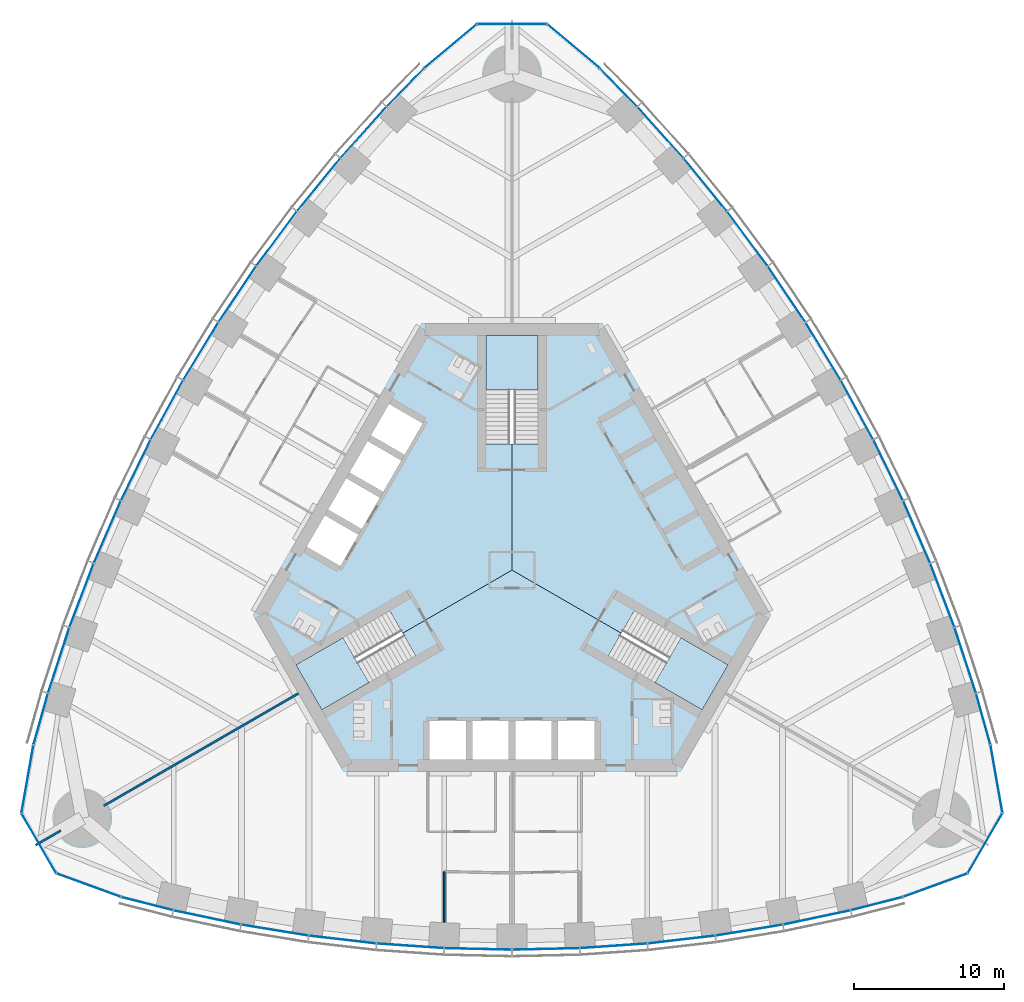
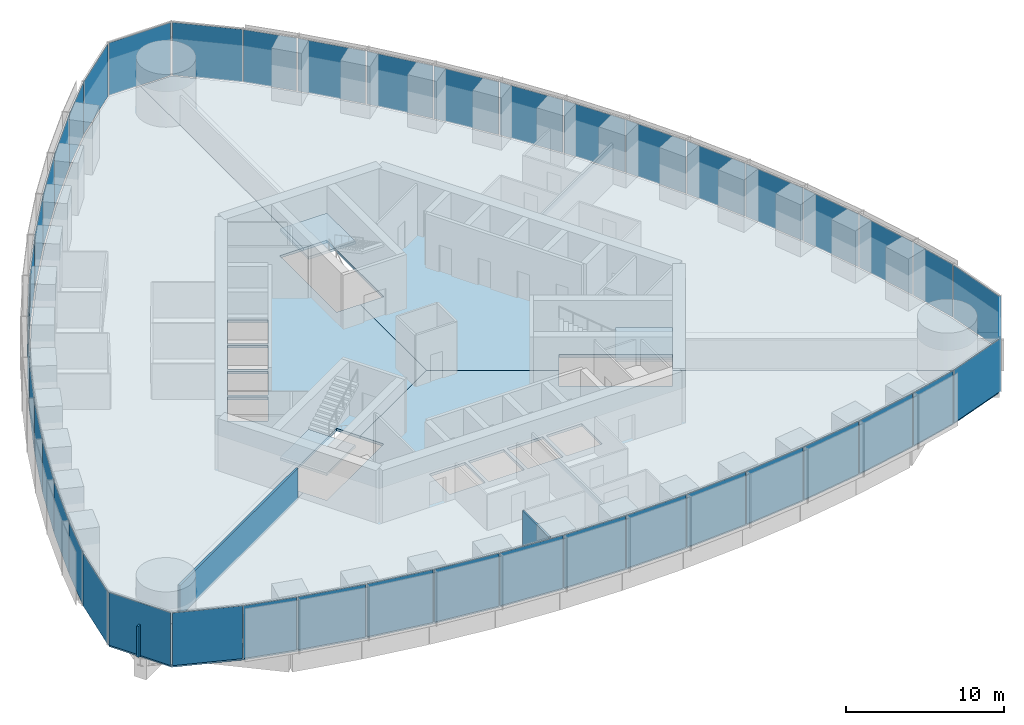
# One storey, part 10 of 18: 45 plates, 6 slabs, 3 walls, 9 elements without a shape of their own.
"""IFC4 building model written with IfcOpenShell, lengths in metres."""

from ifc_helpers import new_model, si_unit, direction, frame, frame_2d, origin, origin_2d, place, context, subcontext, project, spatial, polyline, rectangle, outline, extrude, material, layer, layer_set, type_object, element, aggregate, save


model = new_model("IFC4")

# Units and contexts
model_context = context("Model", 3, precision=1e-05, world=origin(), true_north=direction((0.0, 1.0)))
body_context = subcontext(model_context, "Body", "Model", "MODEL_VIEW")
ifc_project = project(units=[si_unit("LENGTHUNIT", "METRE"), si_unit("AREAUNIT", "SQUARE_METRE"), si_unit("VOLUMEUNIT", "CUBIC_METRE"), si_unit("PLANEANGLEUNIT", "RADIAN"), si_unit("MASSUNIT", "GRAM", prefix="KILO")], contexts=[model_context])

# Site, building, storey
site_placement = place(None, origin())
site = spatial("IfcSite", under=ifc_project, at=site_placement, CompositionType="ELEMENT")
building_placement = place(site_placement, origin())
building = spatial("IfcBuilding", under=site, at=building_placement, Name="Trefoil Bronze Tower", CompositionType="ELEMENT")
storey_placement = place(building_placement, frame((0.0, 0.0, 202.300048828125)))
storey = spatial("IfcBuildingStorey", under=building, at=storey_placement, Name="L46", CompositionType="ELEMENT", Elevation=202.300048828125)

# Curtain wall, plates
ifc_material_1 = material(Name="Tinted solar-control glass", Category="glass")
curtain_wall_type_1 = type_object("IfcCurtainWallType", Name="Bronze office curtain wall", PredefinedType="USERDEFINED", material=ifc_material_1)
curtain_wall_1_placement = place(storey_placement, origin())
curtain_wall_1 = element("IfcCurtainWall", 1, at=curtain_wall_1_placement, inside=storey, type_object=curtain_wall_type_1, Name="CW-A L46 F1", ObjectType="CURTAIN WALL", PredefinedType="USERDEFINED")
ifc_material_2 = material(Name="Tinted solar-control glass", Category="glass")
ifc_layer_1 = layer(ifc_material_2, 0.030029296875)
ifc_layer_set_1 = layer_set([ifc_layer_1], Name="Bronze office curtain wall glass panel")
plate_type_1 = type_object("IfcPlateType", Name="Bronze office curtain wall glass panel", PredefinedType="CURTAIN_PANEL", material=ifc_layer_set_1)
plate_1_placement = place(storey_placement, frame((-24.251220703125, -22.188232421875, 0.0), z_axis=(0.0, 0.0, 1.0), x_axis=(0.968934035393, -0.247319297786, 0.0)))
plate_1 = element("IfcPlate", 2, at=plate_1_placement, type_object=plate_type_1, Name="CW-A L46 F1 panel 1", PredefinedType="CURTAIN_PANEL", context=body_context, shape_type="SweptSolid", body=[
    extrude(rectangle(XDim=3.483642578125, YDim=0.030029296875, at=origin_2d()), origin(), (0.0, 0.0, 1.0), 4.080078125),
])
plate_2_placement = place(storey_placement, frame((-20.270751953125, -23.105224609375, 0.0), z_axis=(0.0, 0.0, 1.0), x_axis=(0.978394335897, -0.20674748725, 0.0)))
plate_2 = element("IfcPlate", 3, at=plate_2_placement, type_object=plate_type_1, Name="CW-A L46 F1 panel 2", PredefinedType="CURTAIN_PANEL", context=body_context, shape_type="SweptSolid", body=[
    extrude(rectangle(XDim=4.519287109375, YDim=0.030029296875, at=origin_2d()), origin(), (0.0, 0.0, 1.0), 4.080078125),
])
plate_3_placement = place(storey_placement, frame((-15.76611328125, -23.9482421875, 0.0), z_axis=(0.0, 0.0, 1.0), x_axis=(0.986986549528, -0.160802832848, 0.0)))
plate_3 = element("IfcPlate", 4, at=plate_3_placement, type_object=plate_type_1, Name="CW-A L46 F1 panel 3", PredefinedType="CURTAIN_PANEL", context=body_context, shape_type="SweptSolid", body=[
    extrude(rectangle(XDim=4.479248046875, YDim=0.030029296875, at=origin_2d()), origin(), (0.0, 0.0, 1.0), 4.080078125),
])
plate_4_placement = place(storey_placement, frame((-11.261474609375, -24.57568359375, 0.0), z_axis=(0.0, 0.0, 1.0), x_axis=(0.993381831741, -0.114858767043, 0.0)))
plate_4 = element("IfcPlate", 5, at=plate_4_placement, type_object=plate_type_1, Name="CW-A L46 F1 panel 4", PredefinedType="CURTAIN_PANEL", context=body_context, shape_type="SweptSolid", body=[
    extrude(rectangle(XDim=4.449951171875, YDim=0.030029296875, at=origin_2d()), origin(), (0.0, 0.0, 1.0), 4.080078125),
])
plate_5_placement = place(storey_placement, frame((-6.7568359375, -24.991455078125, 0.0), z_axis=(0.0, 0.0, 1.0), x_axis=(0.99762252804, -0.068915103905, 0.0)))
plate_5 = element("IfcPlate", 6, at=plate_5_placement, type_object=plate_type_1, Name="CW-A L46 F1 panel 5", PredefinedType="CURTAIN_PANEL", context=body_context, shape_type="SweptSolid", body=[
    extrude(rectangle(XDim=4.4306640625, YDim=0.030029296875, at=origin_2d()), origin(), (0.0, 0.0, 1.0), 4.080078125),
])
plate_6_placement = place(storey_placement, frame((-2.252197265625, -25.198974609375, 0.0), z_axis=(0.0, 0.0, 1.0), x_axis=(0.999736116243, -0.022971675577, 0.0)))
plate_6 = element("IfcPlate", 7, at=plate_6_placement, type_object=plate_type_1, Name="CW-A L46 F1 panel 6", PredefinedType="CURTAIN_PANEL", context=body_context, shape_type="SweptSolid", body=[
    extrude(rectangle(XDim=4.421142578125, YDim=0.030029296875, at=origin_2d()), origin(), (0.0, 0.0, 1.0), 4.080078125),
])
plate_7_placement = place(storey_placement, frame((2.252197265625, -25.198974609375, 0.0), z_axis=(0.0, 0.0, 1.0), x_axis=(0.999736116243, 0.022971675577, 0.0)))
plate_7 = element("IfcPlate", 8, at=plate_7_placement, type_object=plate_type_1, Name="CW-A L46 F1 panel 7", PredefinedType="CURTAIN_PANEL", context=body_context, shape_type="SweptSolid", body=[
    extrude(rectangle(XDim=4.421142578125, YDim=0.030029296875, at=origin_2d()), origin(), (0.0, 0.0, 1.0), 4.080078125),
])
plate_8_placement = place(storey_placement, frame((6.7568359375, -24.991455078125, 0.0), z_axis=(0.0, 0.0, 1.0), x_axis=(0.99762252804, 0.068915103905, 0.0)))
plate_8 = element("IfcPlate", 9, at=plate_8_placement, type_object=plate_type_1, Name="CW-A L46 F1 panel 8", PredefinedType="CURTAIN_PANEL", context=body_context, shape_type="SweptSolid", body=[
    extrude(rectangle(XDim=4.4306640625, YDim=0.030029296875, at=origin_2d()), origin(), (0.0, 0.0, 1.0), 4.080078125),
])
plate_9_placement = place(storey_placement, frame((11.261474609375, -24.57568359375, 0.0), z_axis=(0.0, 0.0, 1.0), x_axis=(0.993381831741, 0.114858767043, 0.0)))
plate_9 = element("IfcPlate", 10, at=plate_9_placement, type_object=plate_type_1, Name="CW-A L46 F1 panel 9", PredefinedType="CURTAIN_PANEL", context=body_context, shape_type="SweptSolid", body=[
    extrude(rectangle(XDim=4.449951171875, YDim=0.030029296875, at=origin_2d()), origin(), (0.0, 0.0, 1.0), 4.080078125),
])
plate_10_placement = place(storey_placement, frame((15.76611328125, -23.9482421875, 0.0), z_axis=(0.0, 0.0, 1.0), x_axis=(0.986986549528, 0.160802832848, 0.0)))
plate_10 = element("IfcPlate", 11, at=plate_10_placement, type_object=plate_type_1, Name="CW-A L46 F1 panel 10", PredefinedType="CURTAIN_PANEL", context=body_context, shape_type="SweptSolid", body=[
    extrude(rectangle(XDim=4.479248046875, YDim=0.030029296875, at=origin_2d()), origin(), (0.0, 0.0, 1.0), 4.080078125),
])
plate_11_placement = place(storey_placement, frame((20.270751953125, -23.105224609375, 0.0), z_axis=(0.0, 0.0, 1.0), x_axis=(0.978394335897, 0.20674748725, 0.0)))
plate_11 = element("IfcPlate", 12, at=plate_11_placement, type_object=plate_type_1, Name="CW-A L46 F1 panel 11", PredefinedType="CURTAIN_PANEL", context=body_context, shape_type="SweptSolid", body=[
    extrude(rectangle(XDim=4.519287109375, YDim=0.030029296875, at=origin_2d()), origin(), (0.0, 0.0, 1.0), 4.080078125),
])
plate_12_placement = place(storey_placement, frame((24.251220703125, -22.188232421875, 0.0), z_axis=(0.0, 0.0, 1.0), x_axis=(0.968934035393, 0.247319297786, 0.0)))
plate_12 = element("IfcPlate", 13, at=plate_12_placement, type_object=plate_type_1, Name="CW-A L46 F1 panel 12", PredefinedType="CURTAIN_PANEL", context=body_context, shape_type="SweptSolid", body=[
    extrude(rectangle(XDim=3.483642578125, YDim=0.030029296875, at=origin_2d()), origin(), (0.0, 0.0, 1.0), 4.080078125),
])
aggregate(curtain_wall_1, [plate_1, plate_2, plate_3, plate_4, plate_5, plate_6, plate_7, plate_8, plate_9, plate_10, plate_11, plate_12])

curtain_wall_2_placement = place(storey_placement, origin())
curtain_wall_2 = element("IfcCurtainWall", 14, at=curtain_wall_2_placement, inside=storey, type_object=curtain_wall_type_1, Name="CW-A L46 F2", ObjectType="CURTAIN WALL", PredefinedType="USERDEFINED")
plate_13_placement = place(storey_placement, frame((31.341064453125, -9.907958984375, 0.0), z_axis=(0.0, 0.0, 1.0), x_axis=(-0.270282222968, 0.962781138134, 0.0)))
plate_13 = element("IfcPlate", 15, at=plate_13_placement, type_object=plate_type_1, Name="CW-A L46 F2 panel 1", PredefinedType="CURTAIN_PANEL", context=body_context, shape_type="SweptSolid", body=[
    extrude(rectangle(XDim=3.483642578125, YDim=0.030029296875, at=origin_2d()), origin(), (0.0, 0.0, 1.0), 4.080078125),
])
plate_14_placement = place(storey_placement, frame((30.14501953125, -6.002197265625, 0.0), z_axis=(0.0, 0.0, 1.0), x_axis=(-0.310148591821, 0.950688093431, 0.0)))
plate_14 = element("IfcPlate", 16, at=plate_14_placement, type_object=plate_type_1, Name="CW-A L46 F2 panel 2", PredefinedType="CURTAIN_PANEL", context=body_context, shape_type="SweptSolid", body=[
    extrude(rectangle(XDim=4.519287109375, YDim=0.030029296875, at=origin_2d()), origin(), (0.0, 0.0, 1.0), 4.080078125),
])
plate_15_placement = place(storey_placement, frame((28.622802734375, -1.6796875, 0.0), z_axis=(0.0, 0.0, 1.0), x_axis=(-0.354233936517, 0.935156841508, 0.0)))
plate_15 = element("IfcPlate", 17, at=plate_15_placement, type_object=plate_type_1, Name="CW-A L46 F2 panel 3", PredefinedType="CURTAIN_PANEL", context=body_context, shape_type="SweptSolid", body=[
    extrude(rectangle(XDim=4.479248046875, YDim=0.030029296875, at=origin_2d()), origin(), (0.0, 0.0, 1.0), 4.080078125),
])
plate_16_placement = place(storey_placement, frame((26.913818359375, 2.53515625, 0.0), z_axis=(0.0, 0.0, 1.0), x_axis=(-0.397220305764, 0.917723285467, 0.0)))
plate_16 = element("IfcPlate", 18, at=plate_16_placement, type_object=plate_type_1, Name="CW-A L46 F2 panel 4", PredefinedType="CURTAIN_PANEL", context=body_context, shape_type="SweptSolid", body=[
    extrude(rectangle(XDim=4.449951171875, YDim=0.030029296875, at=origin_2d()), origin(), (0.0, 0.0, 1.0), 4.080078125),
])
plate_17_placement = place(storey_placement, frame((25.021728515625, 6.64404296875, 0.0), z_axis=(0.0, 0.0, 1.0), x_axis=(-0.439129033334, 0.898424004623, 0.0)))
plate_17 = element("IfcPlate", 19, at=plate_17_placement, type_object=plate_type_1, Name="CW-A L46 F2 panel 5", PredefinedType="CURTAIN_PANEL", context=body_context, shape_type="SweptSolid", body=[
    extrude(rectangle(XDim=4.4306640625, YDim=0.030029296875, at=origin_2d()), origin(), (0.0, 0.0, 1.0), 4.080078125),
])
plate_18_placement = place(storey_placement, frame((22.948974609375, 10.64892578125, 0.0), z_axis=(0.0, 0.0, 1.0), x_axis=(-0.479974003504, 0.877282711536, 0.0)))
plate_18 = element("IfcPlate", 20, at=plate_18_placement, type_object=plate_type_1, Name="CW-A L46 F2 panel 6", PredefinedType="CURTAIN_PANEL", context=body_context, shape_type="SweptSolid", body=[
    extrude(rectangle(XDim=4.421142578125, YDim=0.030029296875, at=origin_2d()), origin(), (0.0, 0.0, 1.0), 4.080078125),
])
plate_19_placement = place(storey_placement, frame((20.69677734375, 14.550048828125, 0.0), z_axis=(0.0, 0.0, 1.0), x_axis=(-0.519762112739, 0.854311035959, 0.0)))
plate_19 = element("IfcPlate", 21, at=plate_19_placement, type_object=plate_type_1, Name="CW-A L46 F2 panel 7", PredefinedType="CURTAIN_PANEL", context=body_context, shape_type="SweptSolid", body=[
    extrude(rectangle(XDim=4.421142578125, YDim=0.030029296875, at=origin_2d()), origin(), (0.0, 0.0, 1.0), 4.080078125),
])
plate_20_placement = place(storey_placement, frame((18.264892578125, 18.347412109375, 0.0), z_axis=(0.0, 0.0, 1.0), x_axis=(-0.558493494706, 0.829508900718, 0.0)))
plate_20 = element("IfcPlate", 22, at=plate_20_placement, type_object=plate_type_1, Name="CW-A L46 F2 panel 8", PredefinedType="CURTAIN_PANEL", context=body_context, shape_type="SweptSolid", body=[
    extrude(rectangle(XDim=4.4306640625, YDim=0.030029296875, at=origin_2d()), origin(), (0.0, 0.0, 1.0), 4.080078125),
])
plate_21_placement = place(storey_placement, frame((15.65234375, 22.04052734375, 0.0), z_axis=(0.0, 0.0, 1.0), x_axis=(-0.596161525977, 0.802864518425, 0.0)))
plate_21 = element("IfcPlate", 23, at=plate_21_placement, type_object=plate_type_1, Name="CW-A L46 F2 panel 9", PredefinedType="CURTAIN_PANEL", context=body_context, shape_type="SweptSolid", body=[
    extrude(rectangle(XDim=4.449951171875, YDim=0.030029296875, at=origin_2d()), origin(), (0.0, 0.0, 1.0), 4.080078125),
])
plate_22_placement = place(storey_placement, frame((12.856689453125, 25.6279296875, 0.0), z_axis=(0.0, 0.0, 1.0), x_axis=(-0.63275261301, 0.774354008661, 0.0)))
plate_22 = element("IfcPlate", 24, at=plate_22_placement, type_object=plate_type_1, Name="CW-A L46 F2 panel 10", PredefinedType="CURTAIN_PANEL", context=body_context, shape_type="SweptSolid", body=[
    extrude(rectangle(XDim=4.479248046875, YDim=0.030029296875, at=origin_2d()), origin(), (0.0, 0.0, 1.0), 4.080078125),
])
plate_23_placement = place(storey_placement, frame((9.87451171875, 29.107666015625, 0.0), z_axis=(0.0, 0.0, 1.0), x_axis=(-0.668245744076, 0.743940606181, 0.0)))
plate_23 = element("IfcPlate", 25, at=plate_23_placement, type_object=plate_type_1, Name="CW-A L46 F2 panel 11", PredefinedType="CURTAIN_PANEL", context=body_context, shape_type="SweptSolid", body=[
    extrude(rectangle(XDim=4.519287109375, YDim=0.030029296875, at=origin_2d()), origin(), (0.0, 0.0, 1.0), 4.080078125),
])
plate_24_placement = place(storey_placement, frame((7.08984375, 32.09619140625, 0.0), z_axis=(0.0, 0.0, 1.0), x_axis=(-0.698651812425, 0.715461840349, 0.0)))
plate_24 = element("IfcPlate", 26, at=plate_24_placement, type_object=plate_type_1, Name="CW-A L46 F2 panel 12", PredefinedType="CURTAIN_PANEL", context=body_context, shape_type="SweptSolid", body=[
    extrude(rectangle(XDim=3.483642578125, YDim=0.030029296875, at=origin_2d()), origin(), (0.0, 0.0, 1.0), 4.080078125),
])
aggregate(curtain_wall_2, [plate_13, plate_14, plate_15, plate_16, plate_17, plate_18, plate_19, plate_20, plate_21, plate_22, plate_23, plate_24])

curtain_wall_3_placement = place(storey_placement, origin())
curtain_wall_3 = element("IfcCurtainWall", 27, at=curtain_wall_3_placement, inside=storey, type_object=curtain_wall_type_1, Name="CW-A L46 F3", ObjectType="CURTAIN WALL", PredefinedType="USERDEFINED")
plate_25_placement = place(storey_placement, frame((-7.08984375, 32.09619140625, 0.0), z_axis=(0.0, 0.0, 1.0), x_axis=(-0.698651812425, -0.715461840349, 0.0)))
plate_25 = element("IfcPlate", 28, at=plate_25_placement, type_object=plate_type_1, Name="CW-A L46 F3 panel 1", PredefinedType="CURTAIN_PANEL", context=body_context, shape_type="SweptSolid", body=[
    extrude(rectangle(XDim=3.483642578125, YDim=0.030029296875, at=origin_2d()), origin(), (0.0, 0.0, 1.0), 4.080078125),
])
plate_26_placement = place(storey_placement, frame((-9.87451171875, 29.107666015625, 0.0), z_axis=(0.0, 0.0, 1.0), x_axis=(-0.668245744076, -0.743940606181, 0.0)))
plate_26 = element("IfcPlate", 29, at=plate_26_placement, type_object=plate_type_1, Name="CW-A L46 F3 panel 2", PredefinedType="CURTAIN_PANEL", context=body_context, shape_type="SweptSolid", body=[
    extrude(rectangle(XDim=4.519287109375, YDim=0.030029296875, at=origin_2d()), origin(), (0.0, 0.0, 1.0), 4.080078125),
])
plate_27_placement = place(storey_placement, frame((-12.856689453125, 25.6279296875, 0.0), z_axis=(0.0, 0.0, 1.0), x_axis=(-0.63275261301, -0.774354008661, 0.0)))
plate_27 = element("IfcPlate", 30, at=plate_27_placement, type_object=plate_type_1, Name="CW-A L46 F3 panel 3", PredefinedType="CURTAIN_PANEL", context=body_context, shape_type="SweptSolid", body=[
    extrude(rectangle(XDim=4.479248046875, YDim=0.030029296875, at=origin_2d()), origin(), (0.0, 0.0, 1.0), 4.080078125),
])
plate_28_placement = place(storey_placement, frame((-15.65234375, 22.04052734375, 0.0), z_axis=(0.0, 0.0, 1.0), x_axis=(-0.596161525977, -0.802864518425, 0.0)))
plate_28 = element("IfcPlate", 31, at=plate_28_placement, type_object=plate_type_1, Name="CW-A L46 F3 panel 4", PredefinedType="CURTAIN_PANEL", context=body_context, shape_type="SweptSolid", body=[
    extrude(rectangle(XDim=4.449951171875, YDim=0.030029296875, at=origin_2d()), origin(), (0.0, 0.0, 1.0), 4.080078125),
])
plate_29_placement = place(storey_placement, frame((-18.264892578125, 18.347412109375, 0.0), z_axis=(0.0, 0.0, 1.0), x_axis=(-0.558493494706, -0.829508900718, 0.0)))
plate_29 = element("IfcPlate", 32, at=plate_29_placement, type_object=plate_type_1, Name="CW-A L46 F3 panel 5", PredefinedType="CURTAIN_PANEL", context=body_context, shape_type="SweptSolid", body=[
    extrude(rectangle(XDim=4.4306640625, YDim=0.030029296875, at=origin_2d()), origin(), (0.0, 0.0, 1.0), 4.080078125),
])
plate_30_placement = place(storey_placement, frame((-20.69677734375, 14.550048828125, 0.0), z_axis=(0.0, 0.0, 1.0), x_axis=(-0.519762112739, -0.854311035959, 0.0)))
plate_30 = element("IfcPlate", 33, at=plate_30_placement, type_object=plate_type_1, Name="CW-A L46 F3 panel 6", PredefinedType="CURTAIN_PANEL", context=body_context, shape_type="SweptSolid", body=[
    extrude(rectangle(XDim=4.421142578125, YDim=0.030029296875, at=origin_2d()), origin(), (0.0, 0.0, 1.0), 4.080078125),
])
plate_31_placement = place(storey_placement, frame((-22.948974609375, 10.64892578125, 0.0), z_axis=(0.0, 0.0, 1.0), x_axis=(-0.479974003504, -0.877282711536, 0.0)))
plate_31 = element("IfcPlate", 34, at=plate_31_placement, type_object=plate_type_1, Name="CW-A L46 F3 panel 7", PredefinedType="CURTAIN_PANEL", context=body_context, shape_type="SweptSolid", body=[
    extrude(rectangle(XDim=4.421142578125, YDim=0.030029296875, at=origin_2d()), origin(), (0.0, 0.0, 1.0), 4.080078125),
])
plate_32_placement = place(storey_placement, frame((-25.021728515625, 6.64404296875, 0.0), z_axis=(0.0, 0.0, 1.0), x_axis=(-0.439129033334, -0.898424004623, 0.0)))
plate_32 = element("IfcPlate", 35, at=plate_32_placement, type_object=plate_type_1, Name="CW-A L46 F3 panel 8", PredefinedType="CURTAIN_PANEL", context=body_context, shape_type="SweptSolid", body=[
    extrude(rectangle(XDim=4.4306640625, YDim=0.030029296875, at=origin_2d()), origin(), (0.0, 0.0, 1.0), 4.080078125),
])
plate_33_placement = place(storey_placement, frame((-26.913818359375, 2.53515625, 0.0), z_axis=(0.0, 0.0, 1.0), x_axis=(-0.397220305764, -0.917723285467, 0.0)))
plate_33 = element("IfcPlate", 36, at=plate_33_placement, type_object=plate_type_1, Name="CW-A L46 F3 panel 9", PredefinedType="CURTAIN_PANEL", context=body_context, shape_type="SweptSolid", body=[
    extrude(rectangle(XDim=4.449951171875, YDim=0.030029296875, at=origin_2d()), origin(), (0.0, 0.0, 1.0), 4.080078125),
])
plate_34_placement = place(storey_placement, frame((-28.622802734375, -1.6796875, 0.0), z_axis=(0.0, 0.0, 1.0), x_axis=(-0.354233936517, -0.935156841508, 0.0)))
plate_34 = element("IfcPlate", 37, at=plate_34_placement, type_object=plate_type_1, Name="CW-A L46 F3 panel 10", PredefinedType="CURTAIN_PANEL", context=body_context, shape_type="SweptSolid", body=[
    extrude(rectangle(XDim=4.479248046875, YDim=0.030029296875, at=origin_2d()), origin(), (0.0, 0.0, 1.0), 4.080078125),
])
plate_35_placement = place(storey_placement, frame((-30.14501953125, -6.002197265625, 0.0), z_axis=(0.0, 0.0, 1.0), x_axis=(-0.310148591821, -0.950688093431, 0.0)))
plate_35 = element("IfcPlate", 38, at=plate_35_placement, type_object=plate_type_1, Name="CW-A L46 F3 panel 11", PredefinedType="CURTAIN_PANEL", context=body_context, shape_type="SweptSolid", body=[
    extrude(rectangle(XDim=4.519287109375, YDim=0.030029296875, at=origin_2d()), origin(), (0.0, 0.0, 1.0), 4.080078125),
])
plate_36_placement = place(storey_placement, frame((-31.341064453125, -9.907958984375, 0.0), z_axis=(0.0, 0.0, 1.0), x_axis=(-0.270282222968, -0.962781138134, 0.0)))
plate_36 = element("IfcPlate", 39, at=plate_36_placement, type_object=plate_type_1, Name="CW-A L46 F3 panel 12", PredefinedType="CURTAIN_PANEL", context=body_context, shape_type="SweptSolid", body=[
    extrude(rectangle(XDim=3.483642578125, YDim=0.030029296875, at=origin_2d()), origin(), (0.0, 0.0, 1.0), 4.080078125),
])
aggregate(curtain_wall_3, [plate_25, plate_26, plate_27, plate_28, plate_29, plate_30, plate_31, plate_32, plate_33, plate_34, plate_35, plate_36])

ifc_material_3 = material(Name="Tinted solar-control glass", Category="glass")
curtain_wall_type_2 = type_object("IfcCurtainWallType", Name="Bronze rounded corner curtain wall", PredefinedType="USERDEFINED", material=ifc_material_3)
curtain_wall_4_placement = place(storey_placement, origin())
curtain_wall_4 = element("IfcCurtainWall", 40, at=curtain_wall_4_placement, inside=storey, type_object=curtain_wall_type_2, Name="CW-B L46 K1", ObjectType="CURTAIN WALL", PredefinedType="USERDEFINED")
ifc_material_4 = material(Name="Tinted solar-control glass", Category="glass")
ifc_layer_2 = layer(ifc_material_4, 0.030029296875)
ifc_layer_set_2 = layer_set([ifc_layer_2], Name="Bronze rounded corner curtain wall glass panel")
plate_type_2 = type_object("IfcPlateType", Name="Bronze rounded corner curtain wall glass panel", PredefinedType="CURTAIN_PANEL", material=ifc_layer_set_2)
plate_37_placement = place(storey_placement, frame((28.1298828125, -20.96484375, 0.0), z_axis=(0.0, 0.0, 1.0), x_axis=(0.939692620786, 0.342020143326, 0.0)))
plate_37 = element("IfcPlate", 41, at=plate_37_placement, type_object=plate_type_2, Name="CW-B L46 K1 panel 1", PredefinedType="CURTAIN_PANEL", context=body_context, shape_type="SweptSolid", body=[
    extrude(rectangle(XDim=4.500244140625, YDim=0.030029296875, at=origin_2d()), origin(), (0.0, 0.0, 1.0), 4.080078125),
])
plate_38_placement = place(storey_placement, frame((31.46484375, -18.166259765625, 0.0), z_axis=(0.0, 0.0, 1.0), x_axis=(0.5, 0.866025403784, 0.0)))
plate_38 = element("IfcPlate", 42, at=plate_38_placement, type_object=plate_type_2, Name="CW-B L46 K1 panel 2", PredefinedType="CURTAIN_PANEL", context=body_context, shape_type="SweptSolid", body=[
    extrude(rectangle(XDim=4.500244140625, YDim=0.030029296875, at=origin_2d()), origin(), (0.0, 0.0, 1.0), 4.080078125),
])
plate_39_placement = place(storey_placement, frame((32.220947265625, -13.878662109375, 0.0), z_axis=(0.0, 0.0, 1.0), x_axis=(-0.173648177667, 0.984807753012, 0.0)))
plate_39 = element("IfcPlate", 43, at=plate_39_placement, type_object=plate_type_2, Name="CW-B L46 K1 panel 3", PredefinedType="CURTAIN_PANEL", context=body_context, shape_type="SweptSolid", body=[
    extrude(rectangle(XDim=4.500244140625, YDim=0.030029296875, at=origin_2d()), origin(), (0.0, 0.0, 1.0), 4.080078125),
])
aggregate(curtain_wall_4, [plate_37, plate_38, plate_39])

curtain_wall_5_placement = place(storey_placement, origin())
curtain_wall_5 = element("IfcCurtainWall", 44, at=curtain_wall_5_placement, inside=storey, type_object=curtain_wall_type_2, Name="CW-B L46 K2", ObjectType="CURTAIN WALL", PredefinedType="USERDEFINED")
plate_40_placement = place(storey_placement, frame((4.091064453125, 34.843505859375, 0.0), z_axis=(0.0, 0.0, 1.0), x_axis=(-0.766044443119, 0.642787609687, 0.0)))
plate_40 = element("IfcPlate", 45, at=plate_40_placement, type_object=plate_type_2, Name="CW-B L46 K2 panel 1", PredefinedType="CURTAIN_PANEL", context=body_context, shape_type="SweptSolid", body=[
    extrude(rectangle(XDim=4.500244140625, YDim=0.030029296875, at=origin_2d()), origin(), (0.0, 0.0, 1.0), 4.080078125),
])
plate_41_placement = place(storey_placement, frame((0.0, 36.33251953125, 0.0), z_axis=(0.0, 0.0, 1.0), x_axis=(-1.0, 0.0, 0.0)))
plate_41 = element("IfcPlate", 46, at=plate_41_placement, type_object=plate_type_2, Name="CW-B L46 K2 panel 2", PredefinedType="CURTAIN_PANEL", context=body_context, shape_type="SweptSolid", body=[
    extrude(rectangle(XDim=4.500244140625, YDim=0.030029296875, at=origin_2d()), origin(), (0.0, 0.0, 1.0), 4.080078125),
])
plate_42_placement = place(storey_placement, frame((-4.091064453125, 34.843505859375, 0.0), z_axis=(0.0, 0.0, 1.0), x_axis=(-0.766044443119, -0.642787609687, 0.0)))
plate_42 = element("IfcPlate", 47, at=plate_42_placement, type_object=plate_type_2, Name="CW-B L46 K2 panel 3", PredefinedType="CURTAIN_PANEL", context=body_context, shape_type="SweptSolid", body=[
    extrude(rectangle(XDim=4.500244140625, YDim=0.030029296875, at=origin_2d()), origin(), (0.0, 0.0, 1.0), 4.080078125),
])
aggregate(curtain_wall_5, [plate_40, plate_41, plate_42])

curtain_wall_6_placement = place(storey_placement, origin())
curtain_wall_6 = element("IfcCurtainWall", 48, at=curtain_wall_6_placement, inside=storey, type_object=curtain_wall_type_2, Name="CW-B L46 K3", ObjectType="CURTAIN WALL", PredefinedType="USERDEFINED")
plate_43_placement = place(storey_placement, frame((-32.220947265625, -13.878662109375, 0.0), z_axis=(0.0, 0.0, 1.0), x_axis=(-0.173648177667, -0.984807753012, 0.0)))
plate_43 = element("IfcPlate", 49, at=plate_43_placement, type_object=plate_type_2, Name="CW-B L46 K3 panel 1", PredefinedType="CURTAIN_PANEL", context=body_context, shape_type="SweptSolid", body=[
    extrude(rectangle(XDim=4.500244140625, YDim=0.030029296875, at=origin_2d()), origin(), (0.0, 0.0, 1.0), 4.080078125),
])
plate_44_placement = place(storey_placement, frame((-31.46484375, -18.166259765625, 0.0), z_axis=(0.0, 0.0, 1.0), x_axis=(0.5, -0.866025403784, 0.0)))
plate_44 = element("IfcPlate", 50, at=plate_44_placement, type_object=plate_type_2, Name="CW-B L46 K3 panel 2", PredefinedType="CURTAIN_PANEL", context=body_context, shape_type="SweptSolid", body=[
    extrude(rectangle(XDim=4.500244140625, YDim=0.030029296875, at=origin_2d()), origin(), (0.0, 0.0, 1.0), 4.080078125),
])
plate_45_placement = place(storey_placement, frame((-28.1298828125, -20.96484375, 0.0), z_axis=(0.0, 0.0, 1.0), x_axis=(0.939692620786, -0.342020143326, 0.0)))
plate_45 = element("IfcPlate", 51, at=plate_45_placement, type_object=plate_type_2, Name="CW-B L46 K3 panel 3", PredefinedType="CURTAIN_PANEL", context=body_context, shape_type="SweptSolid", body=[
    extrude(rectangle(XDim=4.500244140625, YDim=0.030029296875, at=origin_2d()), origin(), (0.0, 0.0, 1.0), 4.080078125),
])
aggregate(curtain_wall_6, [plate_43, plate_44, plate_45])

# Slabs
ifc_material_5 = material(Name="Concrete B30", Category="concrete")
ifc_layer_3 = layer(ifc_material_5, 0.199951171875)
ifc_layer_set_3 = layer_set([ifc_layer_3], Name="Floor slab 200")
slab_type_1 = type_object("IfcSlabType", Name="Floor slab 200", PredefinedType="FLOOR", material=ifc_layer_set_3)
slab_1_placement = place(storey_placement, frame((0.0, 0.0, -0.199951171875)))
element("IfcSlab", 52, at=slab_1_placement, inside=storey, type_object=slab_type_1, Name="Floor slab L46 face 1", PredefinedType="FLOOR", context=body_context, shape_type="SweptSolid", body=[
    extrude(outline(polyline([(18.0, -23.48291015625), (13.5, -24.216064453125), (9.0, -24.736328125), (4.5, -25.047119140625), (0.0, -25.150634765625), (-4.5, -25.047119140625), (-9.0, -24.736328125), (-13.5, -24.216064453125), (-18.0, -23.48291015625), (-22.5, -22.531982421875), (-25.952880859375, -21.650634765625), (-30.23828125, -20.0908203125), (-31.37841796875, -18.1162109375), (-13.510009765625, -7.800048828125), (-12.6474609375, -9.2939453125), (-6.412109375, -5.69384765625), (-7.274658203125, -4.199951171875), (0.0, 0.0), (7.274658203125, -4.199951171875), (6.412109375, -5.69384765625), (12.6474609375, -9.2939453125), (13.510009765625, -7.800048828125), (31.37841796875, -18.1162109375), (30.23828125, -20.0908203125), (25.952880859375, -21.650634765625), (22.5, -22.531982421875), (18.0, -23.48291015625)]), holes=[polyline([(-5.574951171875, -10.02490234375), (-2.97509765625, -10.02490234375), (-2.97509765625, -12.60009765625), (-5.574951171875, -12.60009765625), (-5.574951171875, -10.02490234375)]), polyline([(-2.72509765625, -10.02490234375), (-0.125, -10.02490234375), (-0.125, -12.60009765625), (-2.72509765625, -12.60009765625), (-2.72509765625, -10.02490234375)]), polyline([(0.125, -10.02490234375), (2.72509765625, -10.02490234375), (2.72509765625, -12.60009765625), (0.125, -12.60009765625), (0.125, -10.02490234375)]), polyline([(2.97509765625, -10.02490234375), (5.574951171875, -10.02490234375), (5.574951171875, -12.60009765625), (2.97509765625, -12.60009765625), (2.97509765625, -10.02490234375)])]), origin(), (0.0, 0.0, 1.0), 0.199951171875),
])
slab_2_placement = place(storey_placement, frame((0.0, 0.0, -0.199951171875)))
element("IfcSlab", 53, at=slab_2_placement, inside=storey, type_object=slab_type_1, Name="Floor slab L46 face 2", PredefinedType="FLOOR", context=body_context, shape_type="SweptSolid", body=[
    extrude(outline(polyline([(11.3369140625, 27.329833984375), (14.2216796875, 23.79931640625), (16.92236328125, 20.162353515625), (19.441650390625, 16.420654296875), (21.781005859375, 12.575439453125), (23.941650390625, 8.62646484375), (25.92236328125, 4.573974609375), (27.7216796875, 0.416748046875), (29.3369140625, -3.846923828125), (30.76318359375, -8.219482421875), (31.7265625, -11.650634765625), (32.518310546875, -16.1416015625), (31.37841796875, -18.1162109375), (13.510009765625, -7.800048828125), (14.37255859375, -6.30615234375), (8.13720703125, -2.7060546875), (7.274658203125, -4.199951171875), (0.0, 0.0), (0.0, 8.39990234375), (1.72509765625, 8.39990234375), (1.72509765625, 15.60009765625), (0.0, 15.60009765625), (0.0, 36.232666015625), (2.280029296875, 36.232666015625), (5.7734375, 33.30126953125), (8.26318359375, 30.75146484375), (11.3369140625, 27.329833984375)])), origin(), (0.0, 0.0, 1.0), 0.199951171875),
])
slab_3_placement = place(storey_placement, frame((0.0, 0.0, -0.199951171875)))
element("IfcSlab", 54, at=slab_3_placement, inside=storey, type_object=slab_type_1, Name="Floor slab L46 face 3", PredefinedType="FLOOR", context=body_context, shape_type="SweptSolid", body=[
    extrude(outline(polyline([(-29.3369140625, -3.846923828125), (-27.7216796875, 0.416748046875), (-25.92236328125, 4.573974609375), (-23.941650390625, 8.62646484375), (-21.781005859375, 12.575439453125), (-19.441650390625, 16.420654296875), (-16.92236328125, 20.162353515625), (-14.2216796875, 23.79931640625), (-11.3369140625, 27.329833984375), (-8.26318359375, 30.75146484375), (-5.7734375, 33.30126953125), (-2.280029296875, 36.232666015625), (0.0, 36.232666015625), (0.0, 15.60009765625), (-1.72509765625, 15.60009765625), (-1.72509765625, 8.39990234375), (0.0, 8.39990234375), (0.0, 0.0), (-7.274658203125, -4.199951171875), (-8.13720703125, -2.7060546875), (-14.37255859375, -6.30615234375), (-13.510009765625, -7.800048828125), (-31.37841796875, -18.1162109375), (-32.518310546875, -16.1416015625), (-31.7265625, -11.650634765625), (-30.76318359375, -8.219482421875), (-29.3369140625, -3.846923828125)]), holes=[polyline([(-5.894287109375, 9.840576171875), (-7.1943359375, 7.5888671875), (-9.42431640625, 8.87646484375), (-8.12451171875, 11.128173828125), (-5.894287109375, 9.840576171875)]), polyline([(-7.3193359375, 7.372314453125), (-8.619384765625, 5.120849609375), (-10.849365234375, 6.408203125), (-9.54931640625, 8.659912109375), (-7.3193359375, 7.372314453125)]), polyline([(-8.744384765625, 4.904296875), (-10.04443359375, 2.652587890625), (-12.2744140625, 3.940185546875), (-10.974365234375, 6.191650390625), (-8.744384765625, 4.904296875)]), polyline([(-10.16943359375, 2.43603515625), (-11.469482421875, 0.184326171875), (-13.699462890625, 1.471923828125), (-12.3994140625, 3.7236328125), (-10.16943359375, 2.43603515625)])]), origin(), (0.0, 0.0, 1.0), 0.199951171875),
])

# Stair, slab
ifc_material_6 = material(Name="Precast concrete B80", Category="concrete")
stair_type = type_object("IfcStairType", Name="Exit stair 26 risers", PredefinedType="HALF_TURN_STAIR", material=ifc_material_6)
stair_1_placement = place(storey_placement, origin())
stair_1 = element("IfcStair", 55, at=stair_1_placement, inside=storey, type_object=stair_type, Name="Stair ST1 L46", PredefinedType="HALF_TURN_STAIR")
ifc_material_7 = material(Name="Concrete B30", Category="concrete")
ifc_layer_4 = layer(ifc_material_7, 0.199951171875)
ifc_layer_set_4 = layer_set([ifc_layer_4], Name="Stair landing 200")
slab_type_2 = type_object("IfcSlabType", Name="Stair landing 200", PredefinedType="LANDING", material=ifc_layer_set_4)
slab_4_placement = place(storey_placement, frame((0.0, 0.0, 1.89990234375)))
slab_4 = element("IfcSlab", 56, at=slab_4_placement, type_object=slab_type_2, Name="ST1 landing 1", PredefinedType="LANDING", context=body_context, shape_type="SweptSolid", body=[
    extrude(outline(polyline([(9.512451171875, -7.48388671875), (12.6474609375, -9.2939453125), (14.37255859375, -6.30615234375), (11.237548828125, -4.49609375), (9.512451171875, -7.48388671875)])), origin(), (0.0, 0.0, 1.0), 0.199951171875),
])
aggregate(stair_1, [slab_4])

stair_2_placement = place(storey_placement, origin())
stair_2 = element("IfcStair", 57, at=stair_2_placement, inside=storey, type_object=stair_type, Name="Stair ST2 L46", PredefinedType="HALF_TURN_STAIR")
slab_5_placement = place(storey_placement, frame((0.0, 0.0, 1.89990234375)))
slab_5 = element("IfcSlab", 58, at=slab_5_placement, type_object=slab_type_2, Name="ST2 landing 1", PredefinedType="LANDING", context=body_context, shape_type="SweptSolid", body=[
    extrude(outline(polyline([(1.72509765625, 11.97998046875), (1.72509765625, 15.60009765625), (-1.72509765625, 15.60009765625), (-1.72509765625, 11.97998046875), (1.72509765625, 11.97998046875)])), origin(), (0.0, 0.0, 1.0), 0.199951171875),
])
aggregate(stair_2, [slab_5])

stair_3_placement = place(storey_placement, origin())
stair_3 = element("IfcStair", 59, at=stair_3_placement, inside=storey, type_object=stair_type, Name="Stair ST3 L46", PredefinedType="HALF_TURN_STAIR")
slab_6_placement = place(storey_placement, frame((0.0, 0.0, 1.89990234375)))
slab_6 = element("IfcSlab", 60, at=slab_6_placement, type_object=slab_type_2, Name="ST3 landing 1", PredefinedType="LANDING", context=body_context, shape_type="SweptSolid", body=[
    extrude(outline(polyline([(-11.237548828125, -4.49609375), (-14.37255859375, -6.30615234375), (-12.6474609375, -9.2939453125), (-9.512451171875, -7.48388671875), (-11.237548828125, -4.49609375)])), origin(), (0.0, 0.0, 1.0), 0.199951171875),
])
aggregate(stair_3, [slab_6])

# Walls
ifc_material_8 = material(Name="Glazed partition", Category="glass")
ifc_layer_5 = layer(ifc_material_8, 0.1201171875)
ifc_layer_set_5 = layer_set([ifc_layer_5], Name="Glazed partition 120")
wall_type_1 = type_object("IfcWallType", Name="Glazed partition 120", PredefinedType="PARTITIONING", material=ifc_layer_set_5)
wall_1_placement = place(storey_placement, frame((-4.5, -20.047119140625, 0.0), z_axis=(0.0, 0.0, 1.0), x_axis=(0.0, -1.0, 0.0)))
element("IfcWall", 61, at=wall_1_placement, inside=storey, type_object=wall_type_1, Name="Partition F1 L46", PredefinedType="PARTITIONING", context=body_context, shape_type="SweptSolid", body=[
    extrude(rectangle(XDim=3.368408203125, YDim=0.1201171875, at=frame_2d((1.68408203125, 0.0))), origin(), (0.0, 0.0, 1.0), 2.89990234375),
])
ifc_material_9 = material(Name="Gypsum board on steel studs", Category="steel")
ifc_layer_6 = layer(ifc_material_9, 0.14990234375)
ifc_layer_set_6 = layer_set([ifc_layer_6], Name="Party wall 150")
wall_type_2 = type_object("IfcWallType", Name="Party wall 150", PredefinedType="PARTITIONING", material=ifc_layer_set_6)
wall_2_placement = place(storey_placement, frame((-14.202880859375, -8.199951171875, 0.0), z_axis=(0.0, 0.0, 1.0), x_axis=(-0.866021600284, -0.500006587798, 0.0)))
element("IfcWall", 62, at=wall_2_placement, inside=storey, type_object=wall_type_2, Name="Party wall K3 L46", PredefinedType="PARTITIONING", context=body_context, shape_type="SweptSolid", body=[
    extrude(rectangle(XDim=14.949951171875, YDim=0.14990234375, at=frame_2d((7.47509765625, 0.0))), origin(), (0.0, 0.0, 1.0), 2.39990234375),
])
wall_3_placement = place(storey_placement, frame((-30.0078125, -17.324951171875, 0.0), z_axis=(0.0, 0.0, 1.0), x_axis=(-0.866013246922, -0.500021055713, 0.0)))
element("IfcWall", 63, at=wall_3_placement, inside=storey, type_object=wall_type_2, Name="Party wall K3 L46", PredefinedType="PARTITIONING", context=body_context, shape_type="SweptSolid", body=[
    extrude(rectangle(XDim=1.9345703125, YDim=0.14990234375, at=frame_2d((0.96728515625, 0.0))), origin(), (0.0, 0.0, 1.0), 2.39990234375),
])

save(model, "model.ifc")
